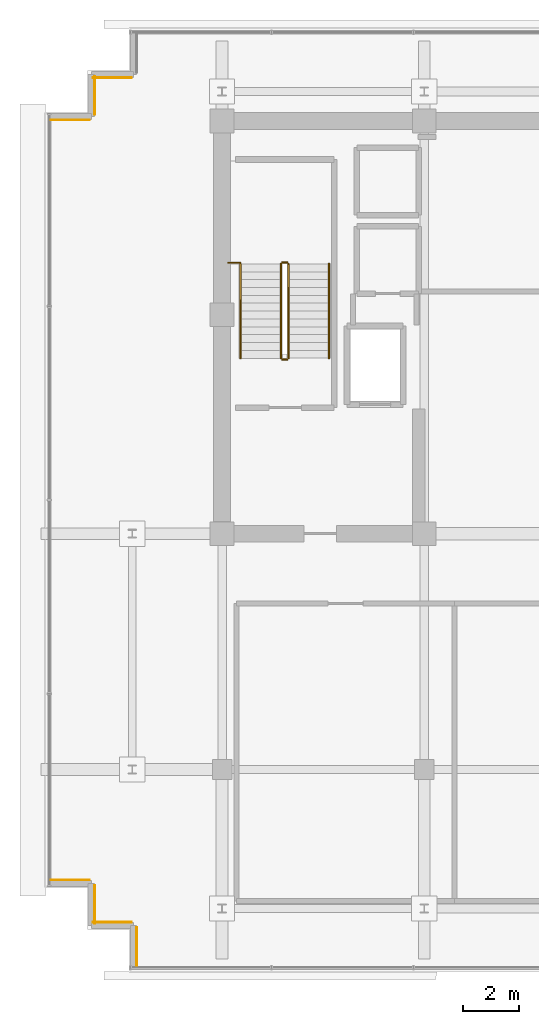
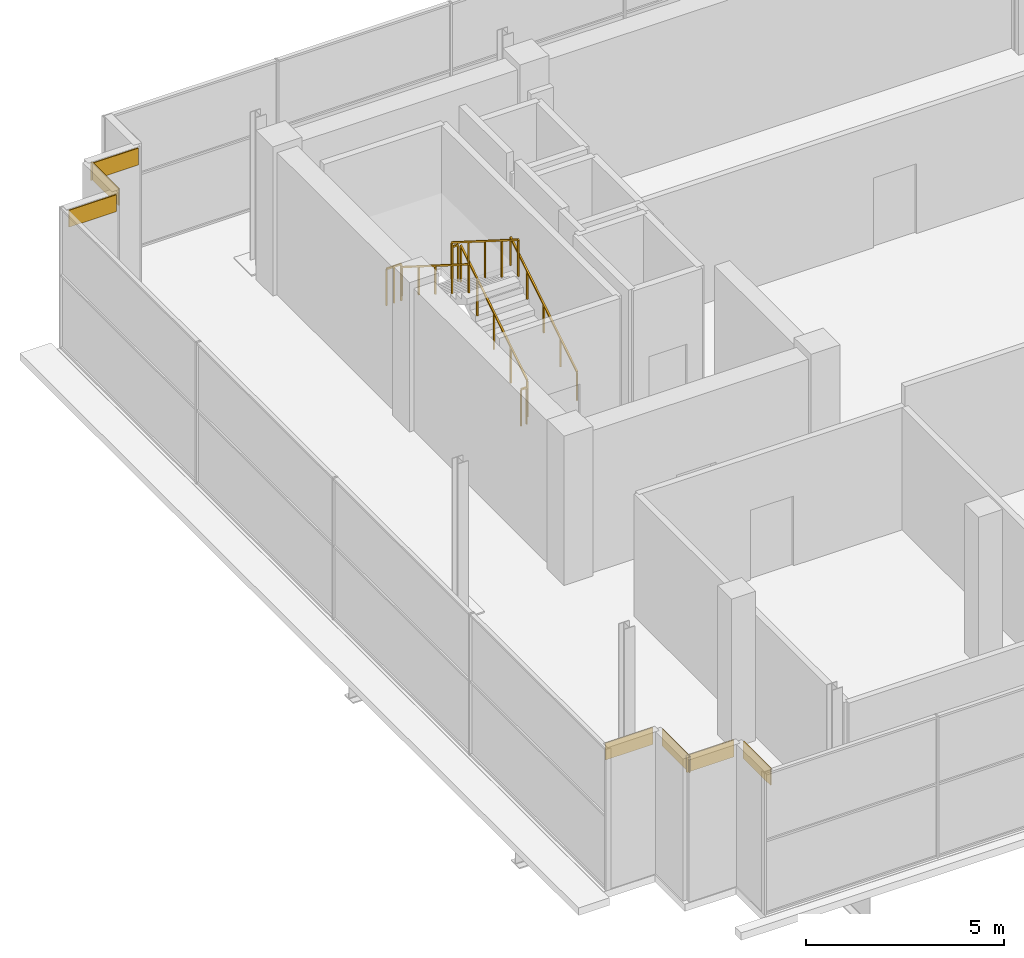
# One storey, part 26 of 28: 7 coverings, 7 railings.
"""IFC4 building model written with IfcOpenShell, lengths in metres."""

from ifc_helpers import new_model, si_unit, direction, frame, origin, origin_2d, place, context, subcontext, project, spatial, rectangle, extrude, source, transform, mapped, material, layer, layer_set, type_object, element, save


model = new_model("IFC4")

# Units and contexts
model_context = context("Model", 3, precision=1e-05, world=origin(), true_north=direction((0.0, 1.0)))
body_context = subcontext(model_context, "Body", "Model", "MODEL_VIEW")
ifc_project = project(units=[si_unit("LENGTHUNIT", "METRE"), si_unit("AREAUNIT", "SQUARE_METRE"), si_unit("VOLUMEUNIT", "CUBIC_METRE"), si_unit("PLANEANGLEUNIT", "RADIAN"), si_unit("MASSUNIT", "GRAM", prefix="KILO")], contexts=[model_context])

# Site, building, storey
site_placement = place(None, origin())
site = spatial("IfcSite", under=ifc_project, at=site_placement, CompositionType="ELEMENT")
building_placement = place(site_placement, origin())
building = spatial("IfcBuilding", under=site, at=building_placement, Name="Zarnakvel Exchange Tower", CompositionType="ELEMENT")
storey_placement = place(building_placement, frame((0.0, 0.0, 271.60009765625)))
storey = spatial("IfcBuildingStorey", under=building, at=storey_placement, Name="Crown L77", CompositionType="ELEMENT", Elevation=271.60009765625)

# Railings
ifc_material_1 = material(Name="Brushed Stainless Steel", Category="steel")
railing_type_1 = type_object("IfcRailingType", Name="HR-01", PredefinedType="HANDRAIL", material=ifc_material_1)
railing_1_placement = place(storey_placement, frame((-10.590087890625, 5.050048828125, 0.1767578125)))
element("IfcRailing", 1, at=railing_1_placement, inside=storey, type_object=railing_type_1, Name="Crown L77 ST-01 stair handrail 1", PredefinedType="HANDRAIL", context=body_context, shape_type="SweptSolid", body=[
    extrude(rectangle(XDim=0.048095703125, YDim=0.048095703125, at=origin_2d()), frame((0.0, 0.0, 0.8759765625), z_axis=(0.0, 0.845372108799, 0.534177870812), x_axis=(-1.0, 0.0, 0.0)), (0.0, 0.0, 1.0), 3.974365234375),
    extrude(rectangle(XDim=0.0419921875, YDim=0.0419921875, at=origin_2d()), origin(), (0.0, 0.0, 1.0), 0.851806640625),
    extrude(rectangle(XDim=0.0419921875, YDim=0.0419921875, at=origin_2d()), frame((0.0, 0.83984375, 0.53076171875)), (0.0, 0.0, 1.0), 0.851806640625),
    extrude(rectangle(XDim=0.0419921875, YDim=0.0419921875, at=origin_2d()), frame((0.0, 1.679931640625, 1.0615234375)), (0.0, 0.0, 1.0), 0.851806640625),
    extrude(rectangle(XDim=0.0419921875, YDim=0.0419921875, at=origin_2d()), frame((0.0, 2.52001953125, 1.59228515625)), (0.0, 0.0, 1.0), 0.851806640625),
    extrude(rectangle(XDim=0.0419921875, YDim=0.0419921875, at=origin_2d()), frame((0.0, 3.35986328125, 2.123046875)), (0.0, 0.0, 1.0), 0.851806640625),
])
railing_2_placement = place(storey_placement, frame((-13.75, 8.409912109375, 2.476806640625)))
element("IfcRailing", 2, at=railing_2_placement, inside=storey, type_object=railing_type_1, Name="Crown L77 ST-01 stair handrail 2", PredefinedType="HANDRAIL", context=body_context, shape_type="SweptSolid", body=[
    extrude(rectangle(XDim=0.048095703125, YDim=0.048095703125, at=origin_2d()), frame((0.0, 0.0, 0.8759765625), z_axis=(0.0, -0.845372108799, 0.534177870812), x_axis=(1.0, 0.0, 0.0)), (0.0, 0.0, 1.0), 3.974365234375),
    extrude(rectangle(XDim=0.0419921875, YDim=0.0419921875, at=origin_2d()), origin(), (0.0, 0.0, 1.0), 0.851806640625),
    extrude(rectangle(XDim=0.0419921875, YDim=0.0419921875, at=origin_2d()), frame((0.0, -0.83984375, 0.53076171875)), (0.0, 0.0, 1.0), 0.851806640625),
    extrude(rectangle(XDim=0.0419921875, YDim=0.0419921875, at=origin_2d()), frame((0.0, -1.679931640625, 1.0615234375)), (0.0, 0.0, 1.0), 0.851806640625),
    extrude(rectangle(XDim=0.0419921875, YDim=0.0419921875, at=origin_2d()), frame((0.0, -2.52001953125, 1.59228515625)), (0.0, 0.0, 1.0), 0.851806640625),
    extrude(rectangle(XDim=0.0419921875, YDim=0.0419921875, at=origin_2d()), frame((0.0, -3.35986328125, 2.123046875)), (0.0, 0.0, 1.0), 0.851806640625),
])
ifc_material_2 = material(Name="Architectural Bronze Anodised Aluminium", Category="aluminium")
railing_type_2 = type_object("IfcRailingType", Name="SG-01", PredefinedType="GUARDRAIL", material=ifc_material_2)
railing_3_placement = place(storey_placement, frame((-12.0400390625, 5.050048828125, 0.1767578125)))
element("IfcRailing", 3, at=railing_3_placement, inside=storey, type_object=railing_type_2, Name="Crown L77 ST-01 stair guard 1", PredefinedType="GUARDRAIL", context=body_context, shape_type="SweptSolid", body=[
    extrude(rectangle(XDim=0.048095703125, YDim=0.048095703125, at=origin_2d()), frame((0.0, 0.0, 1.1259765625), z_axis=(0.0, 0.845372108799, 0.534177870812), x_axis=(-1.0, 0.0, 0.0)), (0.0, 0.0, 1.0), 3.974365234375),
    extrude(rectangle(XDim=0.0419921875, YDim=0.0419921875, at=origin_2d()), origin(), (0.0, 0.0, 1.0), 1.101806640625),
    extrude(rectangle(XDim=0.0419921875, YDim=0.0419921875, at=origin_2d()), frame((0.0, 0.83984375, 0.53076171875)), (0.0, 0.0, 1.0), 1.101806640625),
    extrude(rectangle(XDim=0.0419921875, YDim=0.0419921875, at=origin_2d()), frame((0.0, 1.679931640625, 1.0615234375)), (0.0, 0.0, 1.0), 1.101806640625),
    extrude(rectangle(XDim=0.0419921875, YDim=0.0419921875, at=origin_2d()), frame((0.0, 2.52001953125, 1.59228515625)), (0.0, 0.0, 1.0), 1.101806640625),
    extrude(rectangle(XDim=0.0419921875, YDim=0.0419921875, at=origin_2d()), frame((0.0, 3.35986328125, 2.123046875)), (0.0, 0.0, 1.0), 1.101806640625),
])
railing_4_placement = place(storey_placement, frame((-12.090087890625, 8.4599609375, 2.2998046875)))
element("IfcRailing", 4, at=railing_4_placement, inside=storey, type_object=railing_type_2, Name="Crown L77 ST-01 stair guard 2", PredefinedType="GUARDRAIL", context=body_context, shape_type="SweptSolid", body=[
    extrude(rectangle(XDim=0.048095703125, YDim=0.048095703125, at=origin_2d()), frame((0.0, 0.0, 1.1259765625), z_axis=(-1.0, 0.0, 0.0), x_axis=(0.0, -1.0, 0.0)), (0.0, 0.0, 1.0), 0.159912109375),
    extrude(rectangle(XDim=0.0419921875, YDim=0.0419921875, at=origin_2d()), origin(), (0.0, 0.0, 1.0), 1.101806640625),
    extrude(rectangle(XDim=0.0419921875, YDim=0.0419921875, at=origin_2d()), frame((-0.159912109375, 0.0, 0.0)), (0.0, 0.0, 1.0), 1.101806640625),
])
railing_5_placement = place(storey_placement, frame((-12.300048828125, 8.409912109375, 2.476806640625)))
element("IfcRailing", 5, at=railing_5_placement, inside=storey, type_object=railing_type_2, Name="Crown L77 ST-01 stair guard 3", PredefinedType="GUARDRAIL", context=body_context, shape_type="SweptSolid", body=[
    extrude(rectangle(XDim=0.048095703125, YDim=0.048095703125, at=origin_2d()), frame((0.0, 0.0, 1.1259765625), z_axis=(0.0, -0.845372108799, 0.534177870812), x_axis=(1.0, 0.0, 0.0)), (0.0, 0.0, 1.0), 3.974365234375),
    extrude(rectangle(XDim=0.0419921875, YDim=0.0419921875, at=origin_2d()), origin(), (0.0, 0.0, 1.0), 1.101806640625),
    extrude(rectangle(XDim=0.0419921875, YDim=0.0419921875, at=origin_2d()), frame((0.0, -0.83984375, 0.53076171875)), (0.0, 0.0, 1.0), 1.101806640625),
    extrude(rectangle(XDim=0.0419921875, YDim=0.0419921875, at=origin_2d()), frame((0.0, -1.679931640625, 1.0615234375)), (0.0, 0.0, 1.0), 1.101806640625),
    extrude(rectangle(XDim=0.0419921875, YDim=0.0419921875, at=origin_2d()), frame((0.0, -2.52001953125, 1.59228515625)), (0.0, 0.0, 1.0), 1.101806640625),
    extrude(rectangle(XDim=0.0419921875, YDim=0.0419921875, at=origin_2d()), frame((0.0, -3.35986328125, 2.123046875)), (0.0, 0.0, 1.0), 1.101806640625),
])
railing_6_placement = place(storey_placement, frame((-12.090087890625, 5.0, 0.0)))
element("IfcRailing", 6, at=railing_6_placement, inside=storey, type_object=railing_type_2, Name="Crown L77 ST-01 stair guard 4", PredefinedType="GUARDRAIL", context=body_context, shape_type="SweptSolid", body=[
    extrude(rectangle(XDim=0.048095703125, YDim=0.048095703125, at=origin_2d()), frame((0.0, 0.0, 1.1259765625), z_axis=(-1.0, 0.0, 0.0), x_axis=(0.0, -1.0, 0.0)), (0.0, 0.0, 1.0), 0.159912109375),
    extrude(rectangle(XDim=0.0419921875, YDim=0.0419921875, at=origin_2d()), origin(), (0.0, 0.0, 1.0), 1.101806640625),
    extrude(rectangle(XDim=0.0419921875, YDim=0.0419921875, at=origin_2d()), frame((-0.159912109375, 0.0, 0.0)), (0.0, 0.0, 1.0), 1.101806640625),
])
railing_7_placement = place(storey_placement, frame((-14.179931640625, 8.449951171875, 2.2998046875)))
element("IfcRailing", 7, at=railing_7_placement, inside=storey, type_object=railing_type_2, Name="Crown L77 ST-01 Landing Slot Guardrail", PredefinedType="GUARDRAIL", context=body_context, shape_type="SweptSolid", body=[
    extrude(rectangle(XDim=0.048095703125, YDim=0.048095703125, at=origin_2d()), frame((0.0, 0.0, 1.1259765625), z_axis=(1.0, 0.0, 0.0), x_axis=(0.0, 1.0, 0.0)), (0.0, 0.0, 1.0), 0.429931640625),
    extrude(rectangle(XDim=0.0419921875, YDim=0.0419921875, at=origin_2d()), origin(), (0.0, 0.0, 1.0), 1.101806640625),
    extrude(rectangle(XDim=0.0419921875, YDim=0.0419921875, at=origin_2d()), frame((0.21484375, 0.0, 0.0)), (0.0, 0.0, 1.0), 1.101806640625),
    extrude(rectangle(XDim=0.0419921875, YDim=0.0419921875, at=origin_2d()), frame((0.429931640625, 0.0, 0.0)), (0.0, 0.0, 1.0), 1.101806640625),
])

# Coverings
ifc_material_3 = material(Name="Glazed Turquoise Ceramic Architectural Tile", Category="ceramic")
ifc_layer = layer(ifc_material_3, 0.028076171875)
ifc_layer_set = layer_set([ifc_layer], Name="Glazed Turquoise Ceramic Architectural Tile")
covering_type = type_object("IfcCoveringType", Name="CL-01", PredefinedType="CLADDING", material=ifc_layer_set)
shared_shape = source(origin(), body_context, "Body", "SweptSolid", [
    extrude(rectangle(XDim=1.3798828125, YDim=0.028076171875, at=origin_2d()), origin(), (0.0, 0.0, 1.0), 0.52001953125),
])
for number, where, z_axis, x_axis, name in (
    (8, (-19.81005859375, 13.5380859375, 3.83984375), (0.0, 0.0, 1.0), (-1.0, 0.0, 0.0), "Crown L77 Ceramic Spandrel Tilework CL-01"),
    (9, (-18.93798828125, 14.409912109375, 3.83984375), (0.0, 0.0, 1.0), (0.0, -1.0, 0.0), "Crown L77 Ceramic Spandrel Tilework CL-01"),
    (10, (-18.31005859375, 15.0380859375, 3.83984375), (0.0, 0.0, 1.0), (-1.0, 0.0, 0.0), "Crown L77 Ceramic Spandrel Tilework CL-01"),
    (11, (-17.43798828125, -15.909912109375, 3.83984375), (0.0, 0.0, 1.0), (0.0, -1.0, 0.0), "Crown L77 Ceramic Spandrel Tilework CL-01"),
    (12, (-18.31005859375, -15.0380859375, 3.83984375), (0.0, 0.0, 1.0), (1.0, 0.0, 0.0), "Crown L77 Ceramic Spandrel Tilework CL-01"),
    (13, (-18.93798828125, -14.409912109375, 3.83984375), (0.0, 0.0, 1.0), (0.0, -1.0, 0.0), "Crown L77 Ceramic Spandrel Tilework CL-01"),
    (14, (-19.81005859375, -13.5380859375, 3.83984375), (0.0, 0.0, 1.0), (1.0, 0.0, 0.0), "Crown L77 Ceramic Spandrel Tilework CL-01"),
):
    element("IfcCovering", number, at=place(storey_placement, frame(where, z_axis=z_axis, x_axis=x_axis)), inside=storey, type_object=covering_type, Name=name, PredefinedType="CLADDING", context=body_context, shape_type="MappedRepresentation", body=[
        mapped(shared_shape, transform((0.0, 0.0, 0.0), x_axis=(1.0, 0.0, 0.0), y_axis=(0.0, 1.0, 0.0), z_axis=(0.0, 0.0, 1.0), scale=1.0)),
    ])

save(model, "model.ifc")
